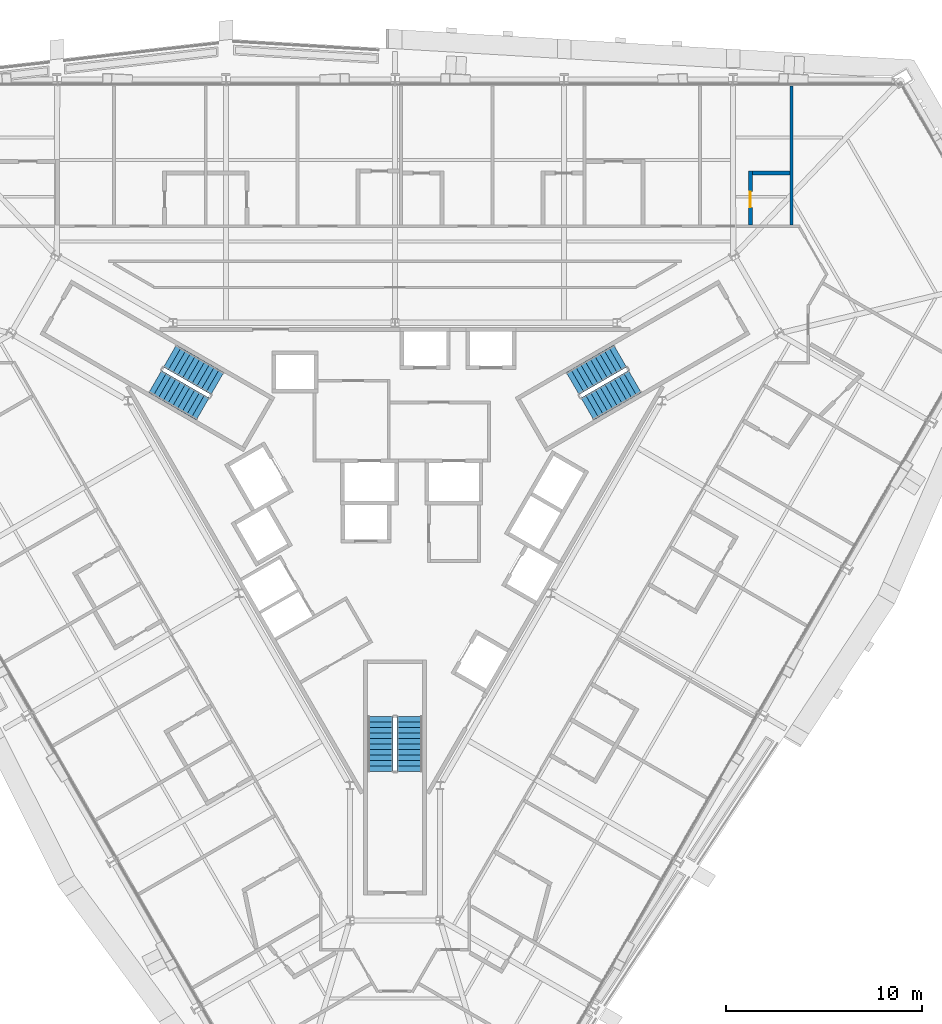
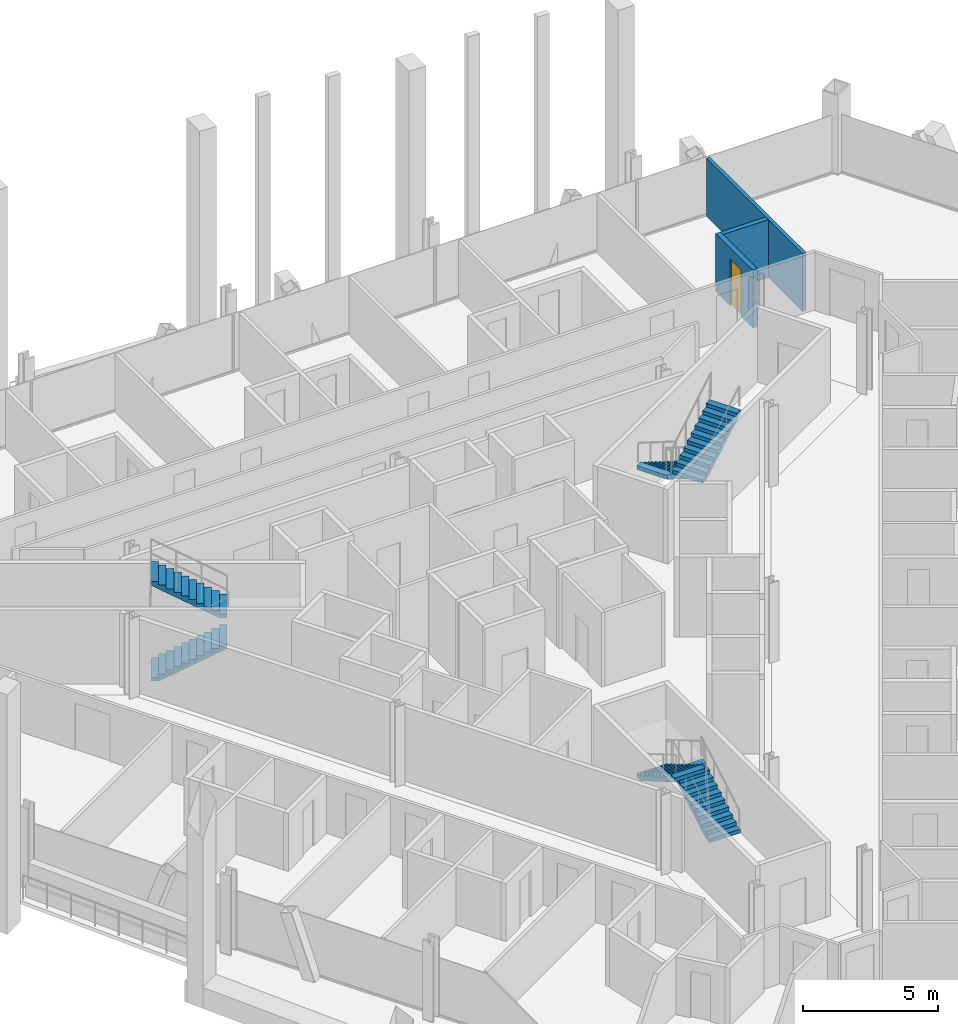
# One storey, part 16 of 19: 6 stair flights, 3 walls, 1 door, 1 opening, 3 elements without a shape of their own.
"""IFC4 building model written with IfcOpenShell, lengths in metres."""

from ifc_helpers import new_model, si_unit, direction, frame, frame_2d, origin, place, context, subcontext, project, spatial, polyline, rectangle, outline, extrude, material, layer, layer_set, type_object, element, fill, aggregate, save


model = new_model("IFC4")

# Units and contexts
model_context = context("Model", 3, precision=1e-05, world=origin(), true_north=direction((0.0, 1.0)))
body_context = subcontext(model_context, "Body", "Model", "MODEL_VIEW")
ifc_project = project(units=[si_unit("LENGTHUNIT", "METRE"), si_unit("AREAUNIT", "SQUARE_METRE"), si_unit("VOLUMEUNIT", "CUBIC_METRE"), si_unit("PLANEANGLEUNIT", "RADIAN"), si_unit("MASSUNIT", "GRAM", prefix="KILO")], contexts=[model_context])

# Site, building, storey
site_placement = place(None, origin())
site = spatial("IfcSite", under=ifc_project, at=site_placement, CompositionType="ELEMENT")
building_placement = place(site_placement, origin())
building = spatial("IfcBuilding", under=site, at=building_placement, Name="Verrane Prism Tower", CompositionType="ELEMENT")
storey_placement = place(building_placement, frame((0.0, 0.0, 76.39990234375)))
storey = spatial("IfcBuildingStorey", under=building, at=storey_placement, Name="L17", CompositionType="ELEMENT", Elevation=76.39990234375)

# Wall
ifc_material_1 = material(Name="Gypsum board partition", Category="other")
ifc_layer_1 = layer(ifc_material_1, 0.14990234375)
ifc_layer_set_1 = layer_set([ifc_layer_1], Name="PW-150 demising wall 1 h")
wall_type_1 = type_object("IfcWallType", Name="PW-150 demising wall 1 h", PredefinedType="PARTITIONING", material=ifc_layer_set_1)
wall_1_placement = place(storey_placement, frame((20.236083984375, 14.199462890625, 0.0), z_axis=(0.0, 0.0, 1.0), x_axis=(0.0, 1.0, 0.0)))
element("IfcWall", 1, at=wall_1_placement, inside=storey, type_object=wall_type_1, Name="Demising wall 087", PredefinedType="PARTITIONING", context=body_context, shape_type="SweptSolid", body=[
    extrude(rectangle(XDim=7.095458984375, YDim=0.14990234375, at=frame_2d((3.5478515625, 0.0))), origin(), (0.0, 0.0, 1.0), 2.613037109375),
])

# Wall, opening, door
ifc_material_2 = material(Name="Gypsum board partition", Category="other")
ifc_layer_2 = layer(ifc_material_2, 0.199951171875)
ifc_layer_set_2 = layer_set([ifc_layer_2], Name="PW-200 plumbing wall")
wall_type_2 = type_object("IfcWallType", Name="PW-200 plumbing wall", PredefinedType="PARTITIONING", material=ifc_layer_set_2)
wall_2_placement = place(storey_placement, frame((18.135986328125, 16.93701171875, 0.0), z_axis=(0.0, 0.0, 1.0), x_axis=(0.0, -1.0, 0.0)))
wall_2 = element("IfcWall", 2, at=wall_2_placement, inside=storey, type_object=wall_type_2, Name="Plumbing wall 082", PredefinedType="PARTITIONING", context=body_context, shape_type="SweptSolid", body=[
    extrude(rectangle(XDim=2.737548828125, YDim=0.199951171875, at=frame_2d((1.36865234375, 0.0))), origin(), (0.0, 0.0, 1.0), 2.613037109375),
])
opening_placement = place(wall_2_placement, frame((1.050048828125, 0.0, 0.0)))
opening = element("IfcOpeningElement", 3, at=opening_placement, cuts=wall_2, Name="Opening D17019", PredefinedType="OPENING", context=body_context, shape_type="SweptSolid", body=[
    extrude(rectangle(XDim=0.800048828125, YDim=2.10009765625, at=frame_2d((0.39990234375, 1.050048828125))), frame((0.0, 0.10986328125, 0.0), z_axis=(0.0, -1.0, 0.0), x_axis=(1.0, 0.0, 0.0)), (0.0, 0.0, 1.0), 0.219970703125),
])
ifc_material_3 = material(Name="Timber veneered door leaf", Category="wood")
door_type = type_object("IfcDoorType", Name="DR-800x2100 single leaf bath", OperationType="NOTDEFINED", PredefinedType="DOOR", material=ifc_material_3)
door_placement = place(opening_placement, origin())
door = element("IfcDoor", 4, at=door_placement, inside=storey, type_object=door_type, Name="En-Suite door", OperationType="SINGLE_SWING_RIGHT", OverallHeight=2.10009765625, OverallWidth=0.800048828125, PredefinedType="DOOR", context=body_context, shape_type="SweptSolid", body=[
    extrude(rectangle(XDim=0.800048828125, YDim=2.10009765625, at=frame_2d((0.39990234375, 1.050048828125))), frame((0.0, 0.02490234375, 0.0), z_axis=(0.0, -1.0, 0.0), x_axis=(1.0, 0.0, 0.0)), (0.0, 0.0, 1.0), 0.050048828125),
])
fill(opening, door)

# Wall
wall_3_placement = place(storey_placement, frame((18.236083984375, 16.8369140625, 0.0), z_axis=(0.0, 0.0, 1.0), x_axis=(1.0, 0.0, 0.0)))
element("IfcWall", 5, at=wall_3_placement, inside=storey, type_object=wall_type_2, Name="Plumbing wall 083", PredefinedType="PARTITIONING", context=body_context, shape_type="SweptSolid", body=[
    extrude(rectangle(XDim=1.9248046875, YDim=0.199951171875, at=frame_2d((0.96240234375, 0.0))), origin(), (0.0, 0.0, 1.0), 2.613037109375),
])

# Stair, stair flights
ifc_material_4 = material(Name="Concrete C40/50", Category="concrete")
stair_type = type_object("IfcStairType", Name="Exit stair 1300 dog-leg precast concrete C40/50", PredefinedType="HALF_TURN_STAIR", material=ifc_material_4)
stair_1_placement = place(storey_placement, origin())
stair_1 = element("IfcStair", 6, at=stair_1_placement, inside=storey, type_object=stair_type, Name="Stair 1 L17", PredefinedType="HALF_TURN_STAIR")
ifc_material_5 = material(Name="Concrete C40/50", Category="concrete")
stair_flight_type = type_object("IfcStairFlightType", Name="Stair flight 1300 precast concrete C40/50", PredefinedType="STRAIGHT", material=ifc_material_5)
stair_flight_1_placement = place(storey_placement, frame((11.489501953125, 7.49951171875, 0.0), z_axis=(0.0, 0.0, 1.0), x_axis=(-0.866025403784, -0.5, 0.0)))
stair_flight_1 = element("IfcStairFlight", 7, at=stair_flight_1_placement, type_object=stair_flight_type, Name="Stair 1 flight 1", NumberOfRisers=11, NumberOfTreads=10, PredefinedType="STRAIGHT", RiserHeight=0.163636364, TreadLength=0.28, context=body_context, shape_type="SweptSolid", body=[
    extrude(outline(polyline([(0.0, 0.0), (0.0, 0.16357421875), (0.280029296875, 0.16357421875), (0.280029296875, 0.327392578125), (0.56005859375, 0.327392578125), (0.56005859375, 0.490966796875), (0.840087890625, 0.490966796875), (0.840087890625, 0.654541015625), (1.1201171875, 0.654541015625), (1.1201171875, 0.818115234375), (1.39990234375, 0.818115234375), (1.39990234375, 0.98193359375), (1.679931640625, 0.98193359375), (1.679931640625, 1.1455078125), (1.9599609375, 1.1455078125), (1.9599609375, 1.30908203125), (2.239990234375, 1.30908203125), (2.239990234375, 1.47265625), (2.52001953125, 1.47265625), (2.52001953125, 1.636474609375), (2.800048828125, 1.636474609375), (2.800048828125, 1.800048828125), (2.800048828125, 1.462646484375), (0.297119140625, 0.0), (0.0, 0.0)])), frame((0.0, 0.64990234375, 0.0), z_axis=(0.0, -1.0, 0.0), x_axis=(1.0, 0.0, 0.0)), (0.0, 0.0, 1.0), 1.300048828125),
])
stair_flight_2_placement = place(storey_placement, frame((9.814697265625, 4.800537109375, 1.800048828125), z_axis=(0.0, 0.0, 1.0), x_axis=(0.866025403784, 0.5, 0.0)))
stair_flight_2 = element("IfcStairFlight", 8, at=stair_flight_2_placement, type_object=stair_flight_type, Name="Stair 1 flight 2", NumberOfRisers=11, NumberOfTreads=10, PredefinedType="STRAIGHT", RiserHeight=0.163636364, TreadLength=0.28, context=body_context, shape_type="SweptSolid", body=[
    extrude(outline(polyline([(0.0, 0.0), (0.0, 0.16357421875), (0.280029296875, 0.16357421875), (0.280029296875, 0.327392578125), (0.56005859375, 0.327392578125), (0.56005859375, 0.490966796875), (0.840087890625, 0.490966796875), (0.840087890625, 0.654541015625), (1.1201171875, 0.654541015625), (1.1201171875, 0.818115234375), (1.39990234375, 0.818115234375), (1.39990234375, 0.98193359375), (1.679931640625, 0.98193359375), (1.679931640625, 1.1455078125), (1.9599609375, 1.1455078125), (1.9599609375, 1.30908203125), (2.239990234375, 1.30908203125), (2.239990234375, 1.47265625), (2.52001953125, 1.47265625), (2.52001953125, 1.636474609375), (2.800048828125, 1.636474609375), (2.800048828125, 1.800048828125), (2.800048828125, 1.462646484375), (0.297119140625, 0.0), (0.0, 0.0)])), frame((0.0, 0.64990234375, 0.0), z_axis=(0.0, -1.0, 0.0), x_axis=(1.0, 0.0, 0.0)), (0.0, 0.0, 1.0), 1.300048828125),
])
aggregate(stair_1, [stair_flight_1, stair_flight_2])

stair_2_placement = place(storey_placement, origin())
stair_2 = element("IfcStair", 9, at=stair_2_placement, inside=storey, type_object=stair_type, Name="Stair 2 L17", PredefinedType="HALF_TURN_STAIR")
stair_flight_3_placement = place(storey_placement, frame((-12.239501953125, 6.200439453125, 0.0), z_axis=(0.0, 0.0, 1.0), x_axis=(0.866025403784, -0.5, 0.0)))
stair_flight_3 = element("IfcStairFlight", 10, at=stair_flight_3_placement, type_object=stair_flight_type, Name="Stair 2 flight 1", NumberOfRisers=11, NumberOfTreads=10, PredefinedType="STRAIGHT", RiserHeight=0.163636364, TreadLength=0.28, context=body_context, shape_type="SweptSolid", body=[
    extrude(outline(polyline([(0.0, 0.0), (0.0, 0.16357421875), (0.280029296875, 0.16357421875), (0.280029296875, 0.327392578125), (0.56005859375, 0.327392578125), (0.56005859375, 0.490966796875), (0.840087890625, 0.490966796875), (0.840087890625, 0.654541015625), (1.1201171875, 0.654541015625), (1.1201171875, 0.818115234375), (1.39990234375, 0.818115234375), (1.39990234375, 0.98193359375), (1.679931640625, 0.98193359375), (1.679931640625, 1.1455078125), (1.9599609375, 1.1455078125), (1.9599609375, 1.30908203125), (2.239990234375, 1.30908203125), (2.239990234375, 1.47265625), (2.52001953125, 1.47265625), (2.52001953125, 1.636474609375), (2.800048828125, 1.636474609375), (2.800048828125, 1.800048828125), (2.800048828125, 1.462646484375), (0.297119140625, 0.0), (0.0, 0.0)])), frame((0.0, 0.64990234375, 0.0), z_axis=(0.0, -1.0, 0.0), x_axis=(1.0, 0.0, 0.0)), (0.0, 0.0, 1.0), 1.300048828125),
])
stair_flight_4_placement = place(storey_placement, frame((-9.064697265625, 6.099609375, 1.800048828125), z_axis=(0.0, 0.0, 1.0), x_axis=(-0.866025403784, 0.5, 0.0)))
stair_flight_4 = element("IfcStairFlight", 11, at=stair_flight_4_placement, type_object=stair_flight_type, Name="Stair 2 flight 2", NumberOfRisers=11, NumberOfTreads=10, PredefinedType="STRAIGHT", RiserHeight=0.163636364, TreadLength=0.28, context=body_context, shape_type="SweptSolid", body=[
    extrude(outline(polyline([(0.0, 0.0), (0.0, 0.16357421875), (0.280029296875, 0.16357421875), (0.280029296875, 0.327392578125), (0.56005859375, 0.327392578125), (0.56005859375, 0.490966796875), (0.840087890625, 0.490966796875), (0.840087890625, 0.654541015625), (1.1201171875, 0.654541015625), (1.1201171875, 0.818115234375), (1.39990234375, 0.818115234375), (1.39990234375, 0.98193359375), (1.679931640625, 0.98193359375), (1.679931640625, 1.1455078125), (1.9599609375, 1.1455078125), (1.9599609375, 1.30908203125), (2.239990234375, 1.30908203125), (2.239990234375, 1.47265625), (2.52001953125, 1.47265625), (2.52001953125, 1.636474609375), (2.800048828125, 1.636474609375), (2.800048828125, 1.800048828125), (2.800048828125, 1.462646484375), (0.297119140625, 0.0), (0.0, 0.0)])), frame((0.0, 0.64990234375, 0.0), z_axis=(0.0, -1.0, 0.0), x_axis=(1.0, 0.0, 0.0)), (0.0, 0.0, 1.0), 1.300048828125),
])
aggregate(stair_2, [stair_flight_3, stair_flight_4])

stair_3_placement = place(storey_placement, origin())
stair_3 = element("IfcStair", 12, at=stair_3_placement, inside=storey, type_object=stair_type, Name="Stair 3 L17", PredefinedType="HALF_TURN_STAIR")
stair_flight_5_placement = place(storey_placement, frame((0.75, -13.699951171875, 0.0), z_axis=(0.0, 0.0, 1.0), x_axis=(0.0, 1.0, 0.0)))
stair_flight_5 = element("IfcStairFlight", 13, at=stair_flight_5_placement, type_object=stair_flight_type, Name="Stair 3 flight 1", NumberOfRisers=11, NumberOfTreads=10, PredefinedType="STRAIGHT", RiserHeight=0.163636364, TreadLength=0.28, context=body_context, shape_type="SweptSolid", body=[
    extrude(outline(polyline([(0.0, 0.0), (0.0, 0.16357421875), (0.280029296875, 0.16357421875), (0.280029296875, 0.327392578125), (0.56005859375, 0.327392578125), (0.56005859375, 0.490966796875), (0.840087890625, 0.490966796875), (0.840087890625, 0.654541015625), (1.1201171875, 0.654541015625), (1.1201171875, 0.818115234375), (1.39990234375, 0.818115234375), (1.39990234375, 0.98193359375), (1.679931640625, 0.98193359375), (1.679931640625, 1.1455078125), (1.9599609375, 1.1455078125), (1.9599609375, 1.30908203125), (2.239990234375, 1.30908203125), (2.239990234375, 1.47265625), (2.52001953125, 1.47265625), (2.52001953125, 1.636474609375), (2.800048828125, 1.636474609375), (2.800048828125, 1.800048828125), (2.800048828125, 1.462646484375), (0.297119140625, 0.0), (0.0, 0.0)])), frame((0.0, 0.64990234375, 0.0), z_axis=(0.0, -1.0, 0.0), x_axis=(1.0, 0.0, 0.0)), (0.0, 0.0, 1.0), 1.300048828125),
])
stair_flight_6_placement = place(storey_placement, frame((-0.75, -10.89990234375, 1.800048828125), z_axis=(0.0, 0.0, 1.0), x_axis=(0.0, -1.0, 0.0)))
stair_flight_6 = element("IfcStairFlight", 14, at=stair_flight_6_placement, type_object=stair_flight_type, Name="Stair 3 flight 2", NumberOfRisers=11, NumberOfTreads=10, PredefinedType="STRAIGHT", RiserHeight=0.163636364, TreadLength=0.28, context=body_context, shape_type="SweptSolid", body=[
    extrude(outline(polyline([(0.0, 0.0), (0.0, 0.16357421875), (0.280029296875, 0.16357421875), (0.280029296875, 0.327392578125), (0.56005859375, 0.327392578125), (0.56005859375, 0.490966796875), (0.840087890625, 0.490966796875), (0.840087890625, 0.654541015625), (1.1201171875, 0.654541015625), (1.1201171875, 0.818115234375), (1.39990234375, 0.818115234375), (1.39990234375, 0.98193359375), (1.679931640625, 0.98193359375), (1.679931640625, 1.1455078125), (1.9599609375, 1.1455078125), (1.9599609375, 1.30908203125), (2.239990234375, 1.30908203125), (2.239990234375, 1.47265625), (2.52001953125, 1.47265625), (2.52001953125, 1.636474609375), (2.800048828125, 1.636474609375), (2.800048828125, 1.800048828125), (2.800048828125, 1.462646484375), (0.297119140625, 0.0), (0.0, 0.0)])), frame((0.0, 0.64990234375, 0.0), z_axis=(0.0, -1.0, 0.0), x_axis=(1.0, 0.0, 0.0)), (0.0, 0.0, 1.0), 1.300048828125),
])
aggregate(stair_3, [stair_flight_5, stair_flight_6])

save(model, "model.ifc")
